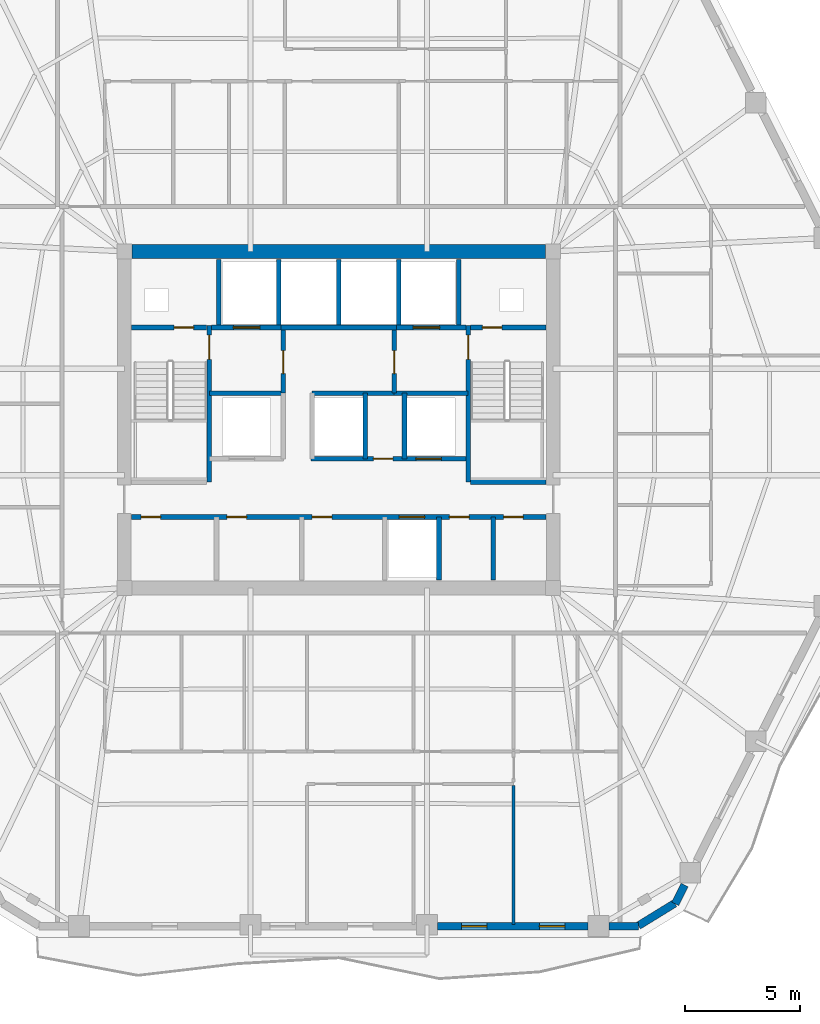
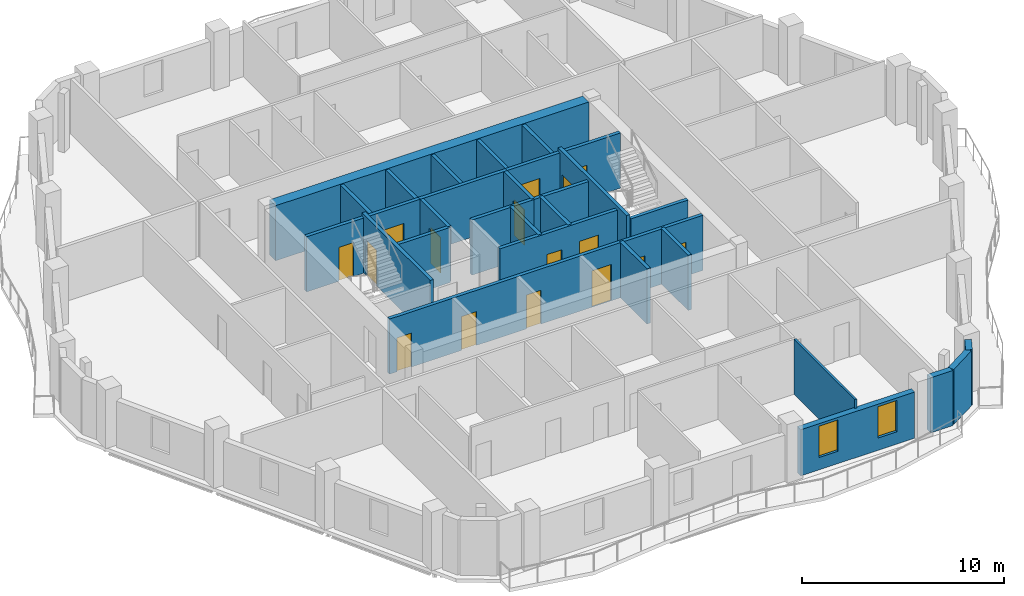
# One storey, part 5 of 10: 30 walls, 16 doors, 2 windows, 18 openings.
"""IFC4 building model written with IfcOpenShell, lengths in metres."""

from ifc_helpers import new_model, si_unit, direction, frame, frame_2d, origin, place, context, subcontext, project, spatial, rectangle, extrude, material, layer, layer_set, type_object, element, fill, save


model = new_model("IFC4")

# Units and contexts
model_context = context("Model", 3, precision=1e-05, world=origin(), true_north=direction((0.0, 1.0)))
body_context = subcontext(model_context, "Body", "Model", "MODEL_VIEW")
ifc_project = project(units=[si_unit("LENGTHUNIT", "METRE"), si_unit("AREAUNIT", "SQUARE_METRE"), si_unit("VOLUMEUNIT", "CUBIC_METRE"), si_unit("PLANEANGLEUNIT", "RADIAN"), si_unit("MASSUNIT", "GRAM", prefix="KILO")], contexts=[model_context])

# Site, building, storey
site_placement = place(None, origin())
site = spatial("IfcSite", under=ifc_project, at=site_placement, CompositionType="ELEMENT")
building_placement = place(site_placement, origin())
building = spatial("IfcBuilding", under=site, at=building_placement, Name="Cinnabar Lancet Tower", CompositionType="ELEMENT")
storey_placement = place(building_placement, frame((0.0, 0.0, 164.14990234375)))
storey = spatial("IfcBuildingStorey", under=building, at=storey_placement, Name="L43", CompositionType="ELEMENT", Elevation=164.14990234375)

# Wall
ifc_material_1 = material(Name="Autoclaved aerated concrete blockwork", Category="masonry")
ifc_layer_1 = layer(ifc_material_1, 0.199951171875)
ifc_layer_set_1 = layer_set([ifc_layer_1], Name="Autoclaved aerated concrete blockwork")
wall_type_1 = type_object("IfcWallType", Name="ARC-WL-SHAFT-200", PredefinedType="PLUMBINGWALL", material=ifc_layer_set_1)
wall_1_placement = place(storey_placement, frame((38.125, 23.199951171875, 0.0), z_axis=(0.0, 0.0, 1.0), x_axis=(1.0, 0.0, 0.0)))
element("IfcWall", 1, at=wall_1_placement, inside=storey, type_object=wall_type_1, Name="CW-ST2S-L43", PredefinedType="PLUMBINGWALL", context=body_context, shape_type="SweptSolid", body=[
    extrude(rectangle(XDim=3.27001953125, YDim=0.199951171875, at=frame_2d((1.635009765625, 0.0))), origin(), (0.0, 0.0, 1.0), 3.340087890625),
])

# Wall, opening, door
wall_2_placement = place(storey_placement, frame((23.405029296875, 29.89990234375, 0.0), z_axis=(0.0, 0.0, 1.0), x_axis=(1.0, 0.0, 0.0)))
wall_2 = element("IfcWall", 2, at=wall_2_placement, inside=storey, type_object=wall_type_1, Name="CW-NSH-W-L43", PredefinedType="PLUMBINGWALL", context=body_context, shape_type="SweptSolid", body=[
    extrude(rectangle(XDim=3.27001953125, YDim=0.199951171875, at=frame_2d((1.635009765625, 0.0))), origin(), (0.0, 0.0, 1.0), 3.340087890625),
])
opening_1_placement = place(wall_2_placement, frame((1.85009765625, 0.0, 0.0)))
opening_1 = element("IfcOpeningElement", 3, at=opening_1_placement, cuts=wall_2, Name="Opening PD-02", PredefinedType="OPENING", context=body_context, shape_type="SweptSolid", body=[
    extrude(rectangle(XDim=0.85009765625, YDim=2.050048828125, at=frame_2d((0.425048828125, 1.02490234375))), frame((0.0, 0.10986328125, 0.0), z_axis=(0.0, -1.0, 0.0), x_axis=(1.0, 0.0, 0.0)), (0.0, 0.0, 1.0), 0.219970703125),
])
ifc_material_2 = material(Name="Fire-rated steel riser access door", Category="steel")
door_type_1 = type_object("IfcDoorType", Name="ARC-DR-RISER", OperationType="NOTDEFINED", PredefinedType="DOOR", material=ifc_material_2)
door_1_placement = place(opening_1_placement, origin())
door_1 = element("IfcDoor", 4, at=door_1_placement, inside=storey, type_object=door_type_1, Name="L43 West Riser Access Door", OperationType="SINGLE_SWING_LEFT", OverallHeight=2.050048828125, OverallWidth=0.85009765625, PredefinedType="DOOR", context=body_context, shape_type="SweptSolid", body=[
    extrude(rectangle(XDim=0.85009765625, YDim=2.050048828125, at=frame_2d((0.425048828125, 1.02490234375))), frame((0.0, 0.02490234375, 0.0), z_axis=(0.0, -1.0, 0.0), x_axis=(1.0, 0.0, 0.0)), (0.0, 0.0, 1.0), 0.050048828125),
])
fill(opening_1, door_1)

wall_3_placement = place(storey_placement, frame((26.885009765625, 29.89990234375, 0.0), z_axis=(0.0, 0.0, 1.0), x_axis=(1.0, 0.0, 0.0)))
wall_3 = element("IfcWall", 5, at=wall_3_placement, inside=storey, type_object=wall_type_1, Name="CW-FL1-L43", PredefinedType="PLUMBINGWALL", context=body_context, shape_type="SweptSolid", body=[
    extrude(rectangle(XDim=3.014892578125, YDim=0.199951171875, at=frame_2d((1.50732421875, 0.0))), origin(), (0.0, 0.0, 1.0), 3.340087890625),
])
opening_2_placement = place(wall_3_placement, frame((0.93994140625, 0.0, 0.0)))
opening_2 = element("IfcOpeningElement", 6, at=opening_2_placement, cuts=wall_3, Name="Opening LD-02", PredefinedType="OPENING", context=body_context, shape_type="SweptSolid", body=[
    extrude(rectangle(XDim=1.14990234375, YDim=2.199951171875, at=frame_2d((0.574951171875, 1.10009765625))), frame((0.0, 0.10986328125, 0.0), z_axis=(0.0, -1.0, 0.0), x_axis=(1.0, 0.0, 0.0)), (0.0, 0.0, 1.0), 0.219970703125),
])
ifc_material_3 = material(Name="Fire-rated stainless steel firefighting lift landing door", Category="steel")
door_type_2 = type_object("IfcDoorType", Name="ARC-DR-LD-FIRE", OperationType="NOTDEFINED", PredefinedType="DOOR", material=ifc_material_3)
door_2_placement = place(opening_2_placement, origin())
door_2 = element("IfcDoor", 7, at=door_2_placement, inside=storey, type_object=door_type_2, Name="L43 Firefighting Lift FL-1 Landing Door", OperationType="DOUBLE_DOOR_SLIDING", OverallHeight=2.199951171875, OverallWidth=1.14990234375, PredefinedType="DOOR", context=body_context, shape_type="SweptSolid", body=[
    extrude(rectangle(XDim=1.14990234375, YDim=2.199951171875, at=frame_2d((0.574951171875, 1.10009765625))), frame((0.0, 0.02490234375, 0.0), z_axis=(0.0, -1.0, 0.0), x_axis=(1.0, 0.0, 0.0)), (0.0, 0.0, 1.0), 0.050048828125),
])
fill(opening_2, door_2)

# Wall
wall_4_placement = place(storey_placement, frame((29.89990234375, 29.89990234375, 0.0), z_axis=(0.0, 0.0, 1.0), x_axis=(1.0, 0.0, 0.0)))
element("IfcWall", 8, at=wall_4_placement, inside=storey, type_object=wall_type_1, Name="CW-PL78-L43", PredefinedType="PLUMBINGWALL", context=body_context, shape_type="SweptSolid", body=[
    extrude(rectangle(XDim=5.0, YDim=0.199951171875, at=frame_2d((2.5, 0.0))), origin(), (0.0, 0.0, 1.0), 3.340087890625),
])

# Wall, opening, door
wall_5_placement = place(storey_placement, frame((34.89990234375, 29.89990234375, 0.0), z_axis=(0.0, 0.0, 1.0), x_axis=(1.0, 0.0, 0.0)))
wall_5 = element("IfcWall", 9, at=wall_5_placement, inside=storey, type_object=wall_type_1, Name="CW-FL2-L43", PredefinedType="PLUMBINGWALL", context=body_context, shape_type="SweptSolid", body=[
    extrude(rectangle(XDim=3.01513671875, YDim=0.199951171875, at=frame_2d((1.507568359375, 0.0))), origin(), (0.0, 0.0, 1.0), 3.340087890625),
])
opening_3_placement = place(wall_5_placement, frame((0.72509765625, 0.0, 0.0)))
opening_3 = element("IfcOpeningElement", 10, at=opening_3_placement, cuts=wall_5, Name="Opening LD-02", PredefinedType="OPENING", context=body_context, shape_type="SweptSolid", body=[
    extrude(rectangle(XDim=1.14990234375, YDim=2.199951171875, at=frame_2d((0.574951171875, 1.10009765625))), frame((0.0, 0.10986328125, 0.0), z_axis=(0.0, -1.0, 0.0), x_axis=(1.0, 0.0, 0.0)), (0.0, 0.0, 1.0), 0.219970703125),
])
door_3_placement = place(opening_3_placement, origin())
door_3 = element("IfcDoor", 11, at=door_3_placement, inside=storey, type_object=door_type_2, Name="L43 Firefighting Lift FL-2 Landing Door", OperationType="DOUBLE_DOOR_SLIDING", OverallHeight=2.199951171875, OverallWidth=1.14990234375, PredefinedType="DOOR", context=body_context, shape_type="SweptSolid", body=[
    extrude(rectangle(XDim=1.14990234375, YDim=2.199951171875, at=frame_2d((0.574951171875, 1.10009765625))), frame((0.0, 0.02490234375, 0.0), z_axis=(0.0, -1.0, 0.0), x_axis=(1.0, 0.0, 0.0)), (0.0, 0.0, 1.0), 0.050048828125),
])
fill(opening_3, door_3)

wall_6_placement = place(storey_placement, frame((38.125, 29.89990234375, 0.0), z_axis=(0.0, 0.0, 1.0), x_axis=(1.0, 0.0, 0.0)))
wall_6 = element("IfcWall", 12, at=wall_6_placement, inside=storey, type_object=wall_type_1, Name="CW-NSH-E-L43", PredefinedType="PLUMBINGWALL", context=body_context, shape_type="SweptSolid", body=[
    extrude(rectangle(XDim=3.27001953125, YDim=0.199951171875, at=frame_2d((1.635009765625, 0.0))), origin(), (0.0, 0.0, 1.0), 3.340087890625),
])
opening_4_placement = place(wall_6_placement, frame((0.5, 0.0, 0.0)))
opening_4 = element("IfcOpeningElement", 13, at=opening_4_placement, cuts=wall_6, Name="Opening PD-02", PredefinedType="OPENING", context=body_context, shape_type="SweptSolid", body=[
    extrude(rectangle(XDim=0.85009765625, YDim=2.050048828125, at=frame_2d((0.425048828125, 1.02490234375))), frame((0.0, 0.10986328125, 0.0), z_axis=(0.0, -1.0, 0.0), x_axis=(1.0, 0.0, 0.0)), (0.0, 0.0, 1.0), 0.219970703125),
])
door_4_placement = place(opening_4_placement, origin())
door_4 = element("IfcDoor", 14, at=door_4_placement, inside=storey, type_object=door_type_1, Name="L43 East Riser Access Door", OperationType="SINGLE_SWING_RIGHT", OverallHeight=2.050048828125, OverallWidth=0.85009765625, PredefinedType="DOOR", context=body_context, shape_type="SweptSolid", body=[
    extrude(rectangle(XDim=0.85009765625, YDim=2.050048828125, at=frame_2d((0.425048828125, 1.02490234375))), frame((0.0, 0.02490234375, 0.0), z_axis=(0.0, -1.0, 0.0), x_axis=(1.0, 0.0, 0.0)), (0.0, 0.0, 1.0), 0.050048828125),
])
fill(opening_4, door_4)

# Walls
for number, where, z_axis, x_axis, name in (
    (15, (27.199951171875, 30.0, 0.0), (0.0, 0.0, 1.0), (0.0, 1.0, 0.0), "CW-NSH-D1-L43"),
    (16, (29.800048828125, 30.0, 0.0), (0.0, 0.0, 1.0), (0.0, 1.0, 0.0), "CW-NSH-D2-L43"),
    (17, (32.39990234375, 30.0, 0.0), (0.0, 0.0, 1.0), (0.0, 1.0, 0.0), "CW-NSH-D3-L43"),
    (18, (35.0, 30.0, 0.0), (0.0, 0.0, 1.0), (0.0, 1.0, 0.0), "CW-NSH-D4-L43"),
    (19, (37.60009765625, 30.0, 0.0), (0.0, 0.0, 1.0), (0.0, 1.0, 0.0), "CW-NSH-D5-L43"),
):
    element("IfcWall", number, at=place(storey_placement, frame(where, z_axis=z_axis, x_axis=x_axis)), inside=storey, type_object=wall_type_1, Name=name, PredefinedType="PLUMBINGWALL", context=body_context, shape_type="SweptSolid", body=[
        extrude(rectangle(XDim=2.85009765625, YDim=0.199951171875, at=frame_2d((1.425048828125, 0.0))), origin(), (0.0, 0.0, 1.0), 3.340087890625),
    ])

# Wall, opening, door
wall_7_placement = place(storey_placement, frame((30.0, 27.050048828125, 0.0), z_axis=(0.0, 0.0, 1.0), x_axis=(0.0, 1.0, 0.0)))
wall_7 = element("IfcWall", 20, at=wall_7_placement, inside=storey, type_object=wall_type_1, Name="CW-FF1E-L43", PredefinedType="PLUMBINGWALL", context=body_context, shape_type="SweptSolid", body=[
    extrude(rectangle(XDim=2.75, YDim=0.199951171875, at=frame_2d((1.375, 0.0))), origin(), (0.0, 0.0, 1.0), 3.340087890625),
])
opening_5_placement = place(wall_7_placement, frame((0.85009765625, 0.0, 0.0)))
opening_5 = element("IfcOpeningElement", 21, at=opening_5_placement, cuts=wall_7, Name="Opening FD-01", PredefinedType="OPENING", context=body_context, shape_type="SweptSolid", body=[
    extrude(rectangle(XDim=1.0, YDim=2.14990234375, at=frame_2d((0.5, 1.074951171875))), frame((0.0, 0.10986328125, 0.0), z_axis=(0.0, -1.0, 0.0), x_axis=(1.0, 0.0, 0.0)), (0.0, 0.0, 1.0), 0.219970703125),
])
ifc_material_4 = material(Name="Fire-rated timber-core lobby door", Category="wood")
door_type_3 = type_object("IfcDoorType", Name="ARC-DR-FFAL", OperationType="NOTDEFINED", PredefinedType="DOOR", material=ifc_material_4)
door_5_placement = place(opening_5_placement, origin())
door_5 = element("IfcDoor", 22, at=door_5_placement, inside=storey, type_object=door_type_3, Name="L43 FFAL-1 Lobby Fire Door", OperationType="SINGLE_SWING_RIGHT", OverallHeight=2.14990234375, OverallWidth=1.0, PredefinedType="DOOR", context=body_context, shape_type="SweptSolid", body=[
    extrude(rectangle(XDim=1.0, YDim=2.14990234375, at=frame_2d((0.5, 1.074951171875))), frame((0.0, 0.02490234375, 0.0), z_axis=(0.0, -1.0, 0.0), x_axis=(1.0, 0.0, 0.0)), (0.0, 0.0, 1.0), 0.050048828125),
])
fill(opening_5, door_5)

# Wall
wall_8_placement = place(storey_placement, frame((26.800048828125, 27.050048828125, 0.0), z_axis=(0.0, 0.0, 1.0), x_axis=(1.0, 0.0, 0.0)))
element("IfcWall", 23, at=wall_8_placement, inside=storey, type_object=wall_type_1, Name="CW-FF1S-L43", PredefinedType="PLUMBINGWALL", context=body_context, shape_type="SweptSolid", body=[
    extrude(rectangle(XDim=3.199951171875, YDim=0.199951171875, at=frame_2d((1.60009765625, 0.0))), origin(), (0.0, 0.0, 1.0), 3.340087890625),
])

# Wall, opening, door
wall_9_placement = place(storey_placement, frame((34.800048828125, 27.050048828125, 0.0), z_axis=(0.0, 0.0, 1.0), x_axis=(0.0, 1.0, 0.0)))
wall_9 = element("IfcWall", 24, at=wall_9_placement, inside=storey, type_object=wall_type_1, Name="CW-FF2W-L43", PredefinedType="PLUMBINGWALL", context=body_context, shape_type="SweptSolid", body=[
    extrude(rectangle(XDim=2.75, YDim=0.199951171875, at=frame_2d((1.375, 0.0))), origin(), (0.0, 0.0, 1.0), 3.340087890625),
])
opening_6_placement = place(wall_9_placement, frame((0.85009765625, 0.0, 0.0)))
opening_6 = element("IfcOpeningElement", 25, at=opening_6_placement, cuts=wall_9, Name="Opening FD-01", PredefinedType="OPENING", context=body_context, shape_type="SweptSolid", body=[
    extrude(rectangle(XDim=1.0, YDim=2.14990234375, at=frame_2d((0.5, 1.074951171875))), frame((0.0, 0.10986328125, 0.0), z_axis=(0.0, -1.0, 0.0), x_axis=(1.0, 0.0, 0.0)), (0.0, 0.0, 1.0), 0.219970703125),
])
door_6_placement = place(opening_6_placement, origin())
door_6 = element("IfcDoor", 26, at=door_6_placement, inside=storey, type_object=door_type_3, Name="L43 FFAL-2 Lobby Fire Door", OperationType="SINGLE_SWING_LEFT", OverallHeight=2.14990234375, OverallWidth=1.0, PredefinedType="DOOR", context=body_context, shape_type="SweptSolid", body=[
    extrude(rectangle(XDim=1.0, YDim=2.14990234375, at=frame_2d((0.5, 1.074951171875))), frame((0.0, 0.02490234375, 0.0), z_axis=(0.0, -1.0, 0.0), x_axis=(1.0, 0.0, 0.0)), (0.0, 0.0, 1.0), 0.050048828125),
])
fill(opening_6, door_6)

# Wall
wall_10_placement = place(storey_placement, frame((34.800048828125, 27.050048828125, 0.0), z_axis=(0.0, 0.0, 1.0), x_axis=(1.0, 0.0, 0.0)))
element("IfcWall", 27, at=wall_10_placement, inside=storey, type_object=wall_type_1, Name="CW-FF2S-L43", PredefinedType="PLUMBINGWALL", context=body_context, shape_type="SweptSolid", body=[
    extrude(rectangle(XDim=3.199951171875, YDim=0.199951171875, at=frame_2d((1.60009765625, 0.0))), origin(), (0.0, 0.0, 1.0), 3.340087890625),
])

# Wall, openings, doors
wall_11_placement = place(storey_placement, frame((31.199951171875, 24.199951171875, 0.0), z_axis=(0.0, 0.0, 1.0), x_axis=(1.0, 0.0, 0.0)))
wall_11 = element("IfcWall", 28, at=wall_11_placement, inside=storey, type_object=wall_type_1, Name="CW-PL96S-L43", PredefinedType="PLUMBINGWALL", context=body_context, shape_type="SweptSolid", body=[
    extrude(rectangle(XDim=6.800048828125, YDim=0.199951171875, at=frame_2d((3.39990234375, 0.0))), origin(), (0.0, 0.0, 1.0), 3.340087890625),
])
opening_7_placement = place(wall_11_placement, frame((2.699951171875, 0.0, 0.0)))
opening_7 = element("IfcOpeningElement", 29, at=opening_7_placement, cuts=wall_11, Name="Opening PD-02", PredefinedType="OPENING", context=body_context, shape_type="SweptSolid", body=[
    extrude(rectangle(XDim=0.85009765625, YDim=2.050048828125, at=frame_2d((0.425048828125, 1.02490234375))), frame((0.0, 0.10986328125, 0.0), z_axis=(0.0, -1.0, 0.0), x_axis=(1.0, 0.0, 0.0)), (0.0, 0.0, 1.0), 0.219970703125),
])
opening_8_placement = place(wall_11_placement, frame((4.550048828125, 0.0, 0.0)))
opening_8 = element("IfcOpeningElement", 30, at=opening_8_placement, cuts=wall_11, Name="Opening LD-01", PredefinedType="OPENING", context=body_context, shape_type="SweptSolid", body=[
    extrude(rectangle(XDim=1.10009765625, YDim=2.199951171875, at=frame_2d((0.550048828125, 1.10009765625))), frame((0.0, 0.10986328125, 0.0), z_axis=(0.0, -1.0, 0.0), x_axis=(1.0, 0.0, 0.0)), (0.0, 0.0, 1.0), 0.219970703125),
])
ifc_material_5 = material(Name="Brushed stainless steel sliding lift door", Category="steel")
door_type_4 = type_object("IfcDoorType", Name="ARC-DR-LD-PASS", OperationType="NOTDEFINED", PredefinedType="DOOR", material=ifc_material_5)
door_7_placement = place(opening_8_placement, origin())
door_7 = element("IfcDoor", 31, at=door_7_placement, inside=storey, type_object=door_type_4, Name="L43 Lift PL-6 Landing Door", OperationType="DOUBLE_DOOR_SLIDING", OverallHeight=2.199951171875, OverallWidth=1.10009765625, PredefinedType="DOOR", context=body_context, shape_type="SweptSolid", body=[
    extrude(rectangle(XDim=1.10009765625, YDim=2.199951171875, at=frame_2d((0.550048828125, 1.10009765625))), frame((0.0, 0.02490234375, 0.0), z_axis=(0.0, -1.0, 0.0), x_axis=(1.0, 0.0, 0.0)), (0.0, 0.0, 1.0), 0.050048828125),
])
fill(opening_8, door_7)
door_8_placement = place(opening_7_placement, origin())
door_8 = element("IfcDoor", 32, at=door_8_placement, inside=storey, type_object=door_type_1, Name="L43 BMS Closet Door", OperationType="SINGLE_SWING_LEFT", OverallHeight=2.050048828125, OverallWidth=0.85009765625, PredefinedType="DOOR", context=body_context, shape_type="SweptSolid", body=[
    extrude(rectangle(XDim=0.85009765625, YDim=2.050048828125, at=frame_2d((0.425048828125, 1.02490234375))), frame((0.0, 0.02490234375, 0.0), z_axis=(0.0, -1.0, 0.0), x_axis=(1.0, 0.0, 0.0)), (0.0, 0.0, 1.0), 0.050048828125),
])
fill(opening_7, door_8)

# Walls
for number, where, z_axis, x_axis, name in (
    (33, (33.550048828125, 24.199951171875, 0.0), (0.0, 0.0, 1.0), (0.0, 1.0, 0.0), "CW-PL9E-L43"),
    (34, (35.25, 24.199951171875, 0.0), (0.0, 0.0, 1.0), (0.0, 1.0, 0.0), "CW-PL6W-L43"),
):
    element("IfcWall", number, at=place(storey_placement, frame(where, z_axis=z_axis, x_axis=x_axis)), inside=storey, type_object=wall_type_1, Name=name, PredefinedType="PLUMBINGWALL", context=body_context, shape_type="SweptSolid", body=[
        extrude(rectangle(XDim=2.85009765625, YDim=0.199951171875, at=frame_2d((1.425048828125, 0.0))), origin(), (0.0, 0.0, 1.0), 3.340087890625),
    ])
wall_12_placement = place(storey_placement, frame((31.25, 27.050048828125, 0.0), z_axis=(0.0, 0.0, 1.0), x_axis=(1.0, 0.0, 0.0)))
element("IfcWall", 35, at=wall_12_placement, inside=storey, type_object=wall_type_1, Name="CW-PL96N-L43", PredefinedType="PLUMBINGWALL", context=body_context, shape_type="SweptSolid", body=[
    extrude(rectangle(XDim=3.550048828125, YDim=0.199951171875, at=frame_2d((1.77490234375, 0.0))), origin(), (0.0, 0.0, 1.0), 3.340087890625),
])

# Wall, openings, doors
wall_13_placement = place(storey_placement, frame((23.419921875, 21.679931640625, 0.0), z_axis=(0.0, 0.0, 1.0), x_axis=(1.0, 0.0, 0.0)))
wall_13 = element("IfcWall", 36, at=wall_13_placement, inside=storey, type_object=wall_type_1, Name="CW-SBANDN-L43", PredefinedType="PLUMBINGWALL", context=body_context, shape_type="SweptSolid", body=[
    extrude(rectangle(XDim=17.9599609375, YDim=0.199951171875, at=frame_2d((8.97998046875, 0.0))), origin(), (0.0, 0.0, 1.0), 3.340087890625),
])
opening_9_placement = place(wall_13_placement, frame((11.60009765625, 0.0, 0.0)))
opening_9 = element("IfcOpeningElement", 37, at=opening_9_placement, cuts=wall_13, Name="Opening LD-01", PredefinedType="OPENING", context=body_context, shape_type="SweptSolid", body=[
    extrude(rectangle(XDim=1.10009765625, YDim=2.199951171875, at=frame_2d((0.550048828125, 1.10009765625))), frame((0.0, 0.10986328125, 0.0), z_axis=(0.0, -1.0, 0.0), x_axis=(1.0, 0.0, 0.0)), (0.0, 0.0, 1.0), 0.219970703125),
])
opening_10_placement = place(wall_13_placement, frame((0.409912109375, 0.0, 0.0)))
opening_10 = element("IfcOpeningElement", 38, at=opening_10_placement, cuts=wall_13, Name="Opening PD-02", PredefinedType="OPENING", context=body_context, shape_type="SweptSolid", body=[
    extrude(rectangle(XDim=0.85009765625, YDim=2.050048828125, at=frame_2d((0.425048828125, 1.02490234375))), frame((0.0, 0.10986328125, 0.0), z_axis=(0.0, -1.0, 0.0), x_axis=(1.0, 0.0, 0.0)), (0.0, 0.0, 1.0), 0.219970703125),
])
opening_11_placement = place(wall_13_placement, frame((4.1298828125, 0.0, 0.0)))
opening_11 = element("IfcOpeningElement", 39, at=opening_11_placement, cuts=wall_13, Name="Opening PD-02", PredefinedType="OPENING", context=body_context, shape_type="SweptSolid", body=[
    extrude(rectangle(XDim=0.85009765625, YDim=2.050048828125, at=frame_2d((0.425048828125, 1.02490234375))), frame((0.0, 0.10986328125, 0.0), z_axis=(0.0, -1.0, 0.0), x_axis=(1.0, 0.0, 0.0)), (0.0, 0.0, 1.0), 0.219970703125),
])
opening_12_placement = place(wall_13_placement, frame((7.830078125, 0.0, 0.0)))
opening_12 = element("IfcOpeningElement", 40, at=opening_12_placement, cuts=wall_13, Name="Opening PD-02", PredefinedType="OPENING", context=body_context, shape_type="SweptSolid", body=[
    extrude(rectangle(XDim=0.85009765625, YDim=2.050048828125, at=frame_2d((0.425048828125, 1.02490234375))), frame((0.0, 0.10986328125, 0.0), z_axis=(0.0, -1.0, 0.0), x_axis=(1.0, 0.0, 0.0)), (0.0, 0.0, 1.0), 0.219970703125),
])
opening_13_placement = place(wall_13_placement, frame((13.780029296875, 0.0, 0.0)))
opening_13 = element("IfcOpeningElement", 41, at=opening_13_placement, cuts=wall_13, Name="Opening PD-02", PredefinedType="OPENING", context=body_context, shape_type="SweptSolid", body=[
    extrude(rectangle(XDim=0.85009765625, YDim=2.050048828125, at=frame_2d((0.425048828125, 1.02490234375))), frame((0.0, 0.10986328125, 0.0), z_axis=(0.0, -1.0, 0.0), x_axis=(1.0, 0.0, 0.0)), (0.0, 0.0, 1.0), 0.219970703125),
])
opening_14_placement = place(wall_13_placement, frame((16.1298828125, 0.0, 0.0)))
opening_14 = element("IfcOpeningElement", 42, at=opening_14_placement, cuts=wall_13, Name="Opening PD-02", PredefinedType="OPENING", context=body_context, shape_type="SweptSolid", body=[
    extrude(rectangle(XDim=0.85009765625, YDim=2.050048828125, at=frame_2d((0.425048828125, 1.02490234375))), frame((0.0, 0.10986328125, 0.0), z_axis=(0.0, -1.0, 0.0), x_axis=(1.0, 0.0, 0.0)), (0.0, 0.0, 1.0), 0.219970703125),
])
door_9_placement = place(opening_9_placement, origin())
door_9 = element("IfcDoor", 43, at=door_9_placement, inside=storey, type_object=door_type_4, Name="L43 Lift PL-4 Landing Door", OperationType="DOUBLE_DOOR_SLIDING", OverallHeight=2.199951171875, OverallWidth=1.10009765625, PredefinedType="DOOR", context=body_context, shape_type="SweptSolid", body=[
    extrude(rectangle(XDim=1.10009765625, YDim=2.199951171875, at=frame_2d((0.550048828125, 1.10009765625))), frame((0.0, 0.02490234375, 0.0), z_axis=(0.0, -1.0, 0.0), x_axis=(1.0, 0.0, 0.0)), (0.0, 0.0, 1.0), 0.050048828125),
])
fill(opening_9, door_9)
door_10_placement = place(opening_10_placement, origin())
door_10 = element("IfcDoor", 44, at=door_10_placement, inside=storey, type_object=door_type_1, Name="DR-L43-MREC1", OperationType="SINGLE_SWING_LEFT", OverallHeight=2.050048828125, OverallWidth=0.85009765625, PredefinedType="DOOR", context=body_context, shape_type="SweptSolid", body=[
    extrude(rectangle(XDim=0.85009765625, YDim=2.050048828125, at=frame_2d((0.425048828125, 1.02490234375))), frame((0.0, 0.02490234375, 0.0), z_axis=(0.0, -1.0, 0.0), x_axis=(1.0, 0.0, 0.0)), (0.0, 0.0, 1.0), 0.050048828125),
])
fill(opening_10, door_10)
door_11_placement = place(opening_11_placement, origin())
door_11 = element("IfcDoor", 45, at=door_11_placement, inside=storey, type_object=door_type_1, Name="DR-L43-MREC2", OperationType="SINGLE_SWING_RIGHT", OverallHeight=2.050048828125, OverallWidth=0.85009765625, PredefinedType="DOOR", context=body_context, shape_type="SweptSolid", body=[
    extrude(rectangle(XDim=0.85009765625, YDim=2.050048828125, at=frame_2d((0.425048828125, 1.02490234375))), frame((0.0, 0.02490234375, 0.0), z_axis=(0.0, -1.0, 0.0), x_axis=(1.0, 0.0, 0.0)), (0.0, 0.0, 1.0), 0.050048828125),
])
fill(opening_11, door_11)
door_12_placement = place(opening_12_placement, origin())
door_12 = element("IfcDoor", 46, at=door_12_placement, inside=storey, type_object=door_type_1, Name="DR-L43-MREC3", OperationType="SINGLE_SWING_LEFT", OverallHeight=2.050048828125, OverallWidth=0.85009765625, PredefinedType="DOOR", context=body_context, shape_type="SweptSolid", body=[
    extrude(rectangle(XDim=0.85009765625, YDim=2.050048828125, at=frame_2d((0.425048828125, 1.02490234375))), frame((0.0, 0.02490234375, 0.0), z_axis=(0.0, -1.0, 0.0), x_axis=(1.0, 0.0, 0.0)), (0.0, 0.0, 1.0), 0.050048828125),
])
fill(opening_12, door_12)
door_13_placement = place(opening_13_placement, origin())
door_13 = element("IfcDoor", 47, at=door_13_placement, inside=storey, type_object=door_type_1, Name="DR-L43-MREC4", OperationType="SINGLE_SWING_RIGHT", OverallHeight=2.050048828125, OverallWidth=0.85009765625, PredefinedType="DOOR", context=body_context, shape_type="SweptSolid", body=[
    extrude(rectangle(XDim=0.85009765625, YDim=2.050048828125, at=frame_2d((0.425048828125, 1.02490234375))), frame((0.0, 0.02490234375, 0.0), z_axis=(0.0, -1.0, 0.0), x_axis=(1.0, 0.0, 0.0)), (0.0, 0.0, 1.0), 0.050048828125),
])
fill(opening_13, door_13)
door_14_placement = place(opening_14_placement, origin())
door_14 = element("IfcDoor", 48, at=door_14_placement, inside=storey, type_object=door_type_1, Name="DR-L43-MREC5", OperationType="SINGLE_SWING_LEFT", OverallHeight=2.050048828125, OverallWidth=0.85009765625, PredefinedType="DOOR", context=body_context, shape_type="SweptSolid", body=[
    extrude(rectangle(XDim=0.85009765625, YDim=2.050048828125, at=frame_2d((0.425048828125, 1.02490234375))), frame((0.0, 0.02490234375, 0.0), z_axis=(0.0, -1.0, 0.0), x_axis=(1.0, 0.0, 0.0)), (0.0, 0.0, 1.0), 0.050048828125),
])
fill(opening_14, door_14)

# Walls
for number, where, z_axis, x_axis, name in (
    (49, (36.75, 18.949951171875, 0.0), (0.0, 0.0, 1.0), (0.0, 1.0, 0.0), "CW-SB-3675-L43"),
    (50, (39.10009765625, 18.949951171875, 0.0), (0.0, 0.0, 1.0), (0.0, 1.0, 0.0), "CW-SB-3910-L43"),
):
    element("IfcWall", number, at=place(storey_placement, frame(where, z_axis=z_axis, x_axis=x_axis)), inside=storey, type_object=wall_type_1, Name=name, PredefinedType="PLUMBINGWALL", context=body_context, shape_type="SweptSolid", body=[
        extrude(rectangle(XDim=2.72998046875, YDim=0.199951171875, at=frame_2d((1.364990234375, 0.0))), origin(), (0.0, 0.0, 1.0), 3.340087890625),
    ])
ifc_material_6 = material(Name="Gypsum plasterboard stud partition", Category="gypsum")
ifc_layer_2 = layer(ifc_material_6, 0.125)
ifc_layer_set_2 = layer_set([ifc_layer_2], Name="Gypsum plasterboard stud partition")
wall_type_2 = type_object("IfcWallType", Name="ARC-WL-UNIT-125", PredefinedType="PARTITIONING", material=ifc_layer_set_2)
wall_14_placement = place(storey_placement, frame((39.98388671875, 4.014892578125, 0.0), z_axis=(0.0, 0.0, 1.0), x_axis=(0.0, 1.0, 0.0)))
element("IfcWall", 51, at=wall_14_placement, inside=storey, type_object=wall_type_2, Name="UW-L43-S01-B23W", PredefinedType="PARTITIONING", context=body_context, shape_type="SweptSolid", body=[
    extrude(rectangle(XDim=6.027099609375, YDim=0.125, at=frame_2d((3.013671875, 0.0))), origin(), (0.0, 0.0, 1.0), 3.340087890625),
])
ifc_material_7 = material(Name="Cinnabar red clay brick", Category="masonry")
ifc_layer_3 = layer(ifc_material_7, 0.340087890625)
ifc_layer_set_3 = layer_set([ifc_layer_3], Name="Cinnabar red clay brick")
wall_type_3 = type_object("IfcWallType", Name="ENV-WL-BRK-RED-340", PredefinedType="STANDARD", material=ifc_layer_set_3)
wall_15_placement = place(storey_placement, frame((45.39697265625, 3.955078125, 0.0), z_axis=(0.0, 0.0, 1.0), x_axis=(0.851798915137, 0.523868884523, 0.0)))
element("IfcWall", 52, at=wall_15_placement, inside=storey, type_object=wall_type_3, Name="L43 Chamfered Corner Brick Pier 2.1", PredefinedType="STANDARD", context=body_context, shape_type="SweptSolid", body=[
    extrude(rectangle(XDim=1.847900390625, YDim=0.340087890625, at=frame_2d((0.923828125, 0.0))), origin(), (0.0, 0.0, 1.0), 3.340087890625),
])

# Wall, openings, windows
wall_16_placement = place(storey_placement, frame((36.68603515625, 3.929931640625, 0.0), z_axis=(0.0, 0.0, 1.0), x_axis=(1.0, 0.0, 0.0)))
wall_16 = element("IfcWall", 53, at=wall_16_placement, inside=storey, type_object=wall_type_3, Name="L43 Face 1 Masonry Bay Wall 4", PredefinedType="STANDARD", context=body_context, shape_type="SweptSolid", body=[
    extrude(rectangle(XDim=6.529052734375, YDim=0.340087890625, at=frame_2d((3.2646484375, 0.0))), origin(), (0.0, 0.0, 1.0), 2.797119140625),
])
opening_15_placement = place(wall_16_placement, frame((1.04296875, 0.0, 0.75)))
opening_15 = element("IfcOpeningElement", 54, at=opening_15_placement, cuts=wall_16, Name="Opening WN-04", PredefinedType="OPENING", context=body_context, shape_type="SweptSolid", body=[
    extrude(rectangle(XDim=1.10009765625, YDim=1.89697265625, at=frame_2d((0.550048828125, 0.948486328125))), frame((0.0, 0.179931640625, 0.0), z_axis=(0.0, -1.0, 0.0), x_axis=(1.0, 0.0, 0.0)), (0.0, 0.0, 1.0), 0.360107421875),
])
opening_16_placement = place(wall_16_placement, frame((4.419921875, 0.0, 0.75)))
opening_16 = element("IfcOpeningElement", 55, at=opening_16_placement, cuts=wall_16, Name="Opening WN-04", PredefinedType="OPENING", context=body_context, shape_type="SweptSolid", body=[
    extrude(rectangle(XDim=1.10009765625, YDim=1.89697265625, at=frame_2d((0.550048828125, 0.948486328125))), frame((0.0, 0.179931640625, 0.0), z_axis=(0.0, -1.0, 0.0), x_axis=(1.0, 0.0, 0.0)), (0.0, 0.0, 1.0), 0.360107421875),
])
ifc_material_8 = material(Name="Thermally broken bronze-anodized aluminium tall lancet window", Category="aluminium")
window_type = type_object("IfcWindowType", Name="ENV-WN-LANCET-1100", PartitioningType="SINGLE_PANEL", PredefinedType="WINDOW", material=ifc_material_8)
window_1_placement = place(opening_15_placement, origin())
window_1 = element("IfcWindow", 56, at=window_1_placement, inside=storey, type_object=window_type, Name="L43 Face 1 Gothic Lancet Window 4", OverallHeight=1.89697265625, OverallWidth=1.10009765625, PartitioningType="SINGLE_PANEL", PredefinedType="WINDOW", context=body_context, shape_type="SweptSolid", body=[
    extrude(rectangle(XDim=1.10009765625, YDim=1.89697265625, at=frame_2d((0.550048828125, 0.948486328125))), frame((0.0, 0.030029296875, 0.0), z_axis=(0.0, -1.0, 0.0), x_axis=(1.0, 0.0, 0.0)), (0.0, 0.0, 1.0), 0.06005859375),
])
fill(opening_15, window_1)
window_2_placement = place(opening_16_placement, origin())
window_2 = element("IfcWindow", 57, at=window_2_placement, inside=storey, type_object=window_type, Name="L43 Split-Bay Gothic Lancet Window 124", OverallHeight=1.89697265625, OverallWidth=1.10009765625, PartitioningType="SINGLE_PANEL", PredefinedType="WINDOW", context=body_context, shape_type="SweptSolid", body=[
    extrude(rectangle(XDim=1.10009765625, YDim=1.89697265625, at=frame_2d((0.550048828125, 0.948486328125))), frame((0.0, 0.030029296875, 0.0), z_axis=(0.0, -1.0, 0.0), x_axis=(1.0, 0.0, 0.0)), (0.0, 0.0, 1.0), 0.06005859375),
])
fill(opening_16, window_2)

# Walls
wall_17_placement = place(storey_placement, frame((44.123046875, 3.929931640625, 0.0), z_axis=(0.0, 0.0, 1.0), x_axis=(1.0, 0.0, 0.0)))
element("IfcWall", 58, at=wall_17_placement, inside=storey, type_object=wall_type_3, Name="L43 Face 1 Masonry Bay Wall 5", PredefinedType="STANDARD", context=body_context, shape_type="SweptSolid", body=[
    extrude(rectangle(XDim=1.279052734375, YDim=0.340087890625, at=frame_2d((0.6396484375, 0.0))), origin(), (0.0, 0.0, 1.0), 3.340087890625),
])
wall_18_placement = place(storey_placement, frame((46.990966796875, 4.906982421875, 0.0), z_axis=(0.0, 0.0, 1.0), x_axis=(0.451521436551, 0.892260271633, 0.0)))
element("IfcWall", 59, at=wall_18_placement, inside=storey, type_object=wall_type_3, Name="L43 Face 2 Masonry Bay Wall 1", PredefinedType="STANDARD", context=body_context, shape_type="SweptSolid", body=[
    extrude(rectangle(XDim=0.90576171875, YDim=0.340087890625, at=frame_2d((0.452880859375, 0.0))), origin(), (0.0, 0.0, 1.0), 3.340087890625),
])
ifc_material_9 = material(Name="Concrete C60/75", Category="concrete")
ifc_layer_4 = layer(ifc_material_9, 0.60009765625)
ifc_layer_set_4 = layer_set([ifc_layer_4], Name="Concrete C60/75")
wall_type_4 = type_object("IfcWallType", Name="STR-WL-CORE-600", PredefinedType="SHEAR", material=ifc_layer_set_4)
wall_19_placement = place(storey_placement, frame((23.425048828125, 33.199951171875, 0.0), z_axis=(0.0, 0.0, 1.0), x_axis=(1.0, 0.0, 0.0)))
element("IfcWall", 60, at=wall_19_placement, inside=storey, type_object=wall_type_4, Name="L43 Core Shear Wall N", PredefinedType="SHEAR", context=body_context, shape_type="SweptSolid", body=[
    extrude(rectangle(XDim=17.949951171875, YDim=0.60009765625, at=frame_2d((8.97509765625, 0.0))), origin(), (0.0, 0.0, 1.0), 3.340087890625),
])

# Wall, opening, door
ifc_material_10 = material(Name="Concrete C50/60", Category="concrete")
ifc_layer_5 = layer(ifc_material_10, 0.199951171875)
ifc_layer_set_5 = layer_set([ifc_layer_5], Name="Concrete C50/60")
wall_type_5 = type_object("IfcWallType", Name="STR-WL-STAIR-200", PredefinedType="SHEAR", material=ifc_layer_set_5)
wall_20_placement = place(storey_placement, frame((26.780029296875, 23.199951171875, 0.0), z_axis=(0.0, 0.0, 1.0), x_axis=(0.0, 1.0, 0.0)))
wall_20 = element("IfcWall", 61, at=wall_20_placement, inside=storey, type_object=wall_type_5, Name="L43 Stair ST-1 Structural Enclosure Wall", PredefinedType="SHEAR", context=body_context, shape_type="SweptSolid", body=[
    extrude(rectangle(XDim=6.780029296875, YDim=0.199951171875, at=frame_2d((3.39013671875, 0.0))), origin(), (0.0, 0.0, 1.0), 3.550048828125),
])
opening_17_placement = place(wall_20_placement, frame((5.320068359375, 0.0, 0.0)))
opening_17 = element("IfcOpeningElement", 62, at=opening_17_placement, cuts=wall_20, Name="Opening SD-01", PredefinedType="OPENING", context=body_context, shape_type="SweptSolid", body=[
    extrude(rectangle(XDim=1.050048828125, YDim=2.14990234375, at=frame_2d((0.52490234375, 1.074951171875))), frame((0.0, 0.10986328125, 0.0), z_axis=(0.0, -1.0, 0.0), x_axis=(1.0, 0.0, 0.0)), (0.0, 0.0, 1.0), 0.219970703125),
])
ifc_material_11 = material(Name="Fire-rated steel stair exit door", Category="steel")
door_type_5 = type_object("IfcDoorType", Name="ARC-DR-STAIR", OperationType="NOTDEFINED", PredefinedType="DOOR", material=ifc_material_11)
door_15_placement = place(opening_17_placement, origin())
door_15 = element("IfcDoor", 63, at=door_15_placement, inside=storey, type_object=door_type_5, Name="L43 Stair ST-1 Fire Door", OperationType="SINGLE_SWING_LEFT", OverallHeight=2.14990234375, OverallWidth=1.050048828125, PredefinedType="DOOR", context=body_context, shape_type="SweptSolid", body=[
    extrude(rectangle(XDim=1.050048828125, YDim=2.14990234375, at=frame_2d((0.52490234375, 1.074951171875))), frame((0.0, 0.02490234375, 0.0), z_axis=(0.0, -1.0, 0.0), x_axis=(1.0, 0.0, 0.0)), (0.0, 0.0, 1.0), 0.050048828125),
])
fill(opening_17, door_15)

wall_21_placement = place(storey_placement, frame((38.02001953125, 23.199951171875, 0.0), z_axis=(0.0, 0.0, 1.0), x_axis=(0.0, 1.0, 0.0)))
wall_21 = element("IfcWall", 64, at=wall_21_placement, inside=storey, type_object=wall_type_5, Name="L43 Stair ST-2 Structural Enclosure Wall", PredefinedType="SHEAR", context=body_context, shape_type="SweptSolid", body=[
    extrude(rectangle(XDim=6.780029296875, YDim=0.199951171875, at=frame_2d((3.39013671875, 0.0))), origin(), (0.0, 0.0, 1.0), 3.550048828125),
])
opening_18_placement = place(wall_21_placement, frame((5.320068359375, 0.0, 0.0)))
opening_18 = element("IfcOpeningElement", 65, at=opening_18_placement, cuts=wall_21, Name="Opening SD-01", PredefinedType="OPENING", context=body_context, shape_type="SweptSolid", body=[
    extrude(rectangle(XDim=1.050048828125, YDim=2.14990234375, at=frame_2d((0.52490234375, 1.074951171875))), frame((0.0, 0.10986328125, 0.0), z_axis=(0.0, -1.0, 0.0), x_axis=(1.0, 0.0, 0.0)), (0.0, 0.0, 1.0), 0.219970703125),
])
door_16_placement = place(opening_18_placement, origin())
door_16 = element("IfcDoor", 66, at=door_16_placement, inside=storey, type_object=door_type_5, Name="L43 Stair ST-2 Fire Door", OperationType="SINGLE_SWING_RIGHT", OverallHeight=2.14990234375, OverallWidth=1.050048828125, PredefinedType="DOOR", context=body_context, shape_type="SweptSolid", body=[
    extrude(rectangle(XDim=1.050048828125, YDim=2.14990234375, at=frame_2d((0.52490234375, 1.074951171875))), frame((0.0, 0.02490234375, 0.0), z_axis=(0.0, -1.0, 0.0), x_axis=(1.0, 0.0, 0.0)), (0.0, 0.0, 1.0), 0.050048828125),
])
fill(opening_18, door_16)

save(model, "model.ifc")
